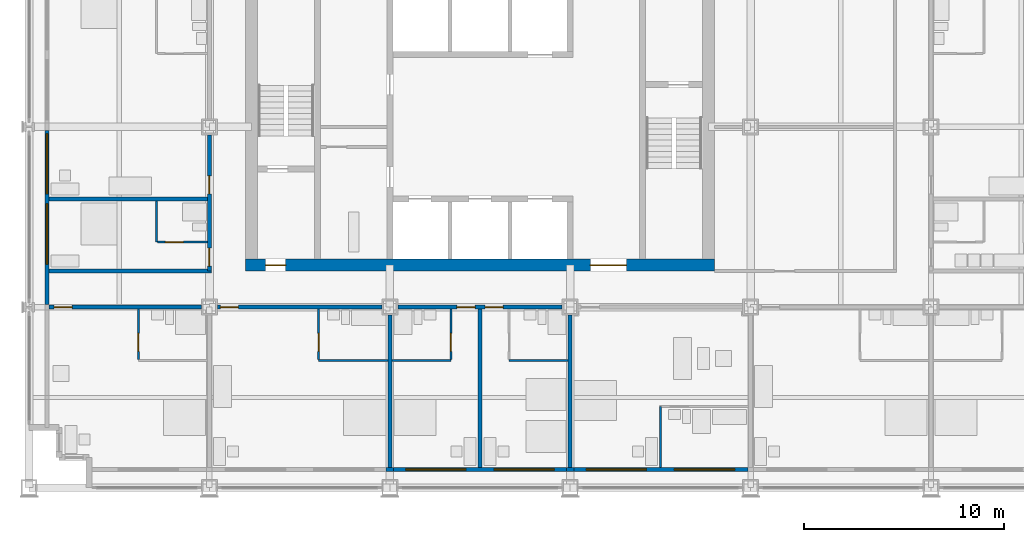
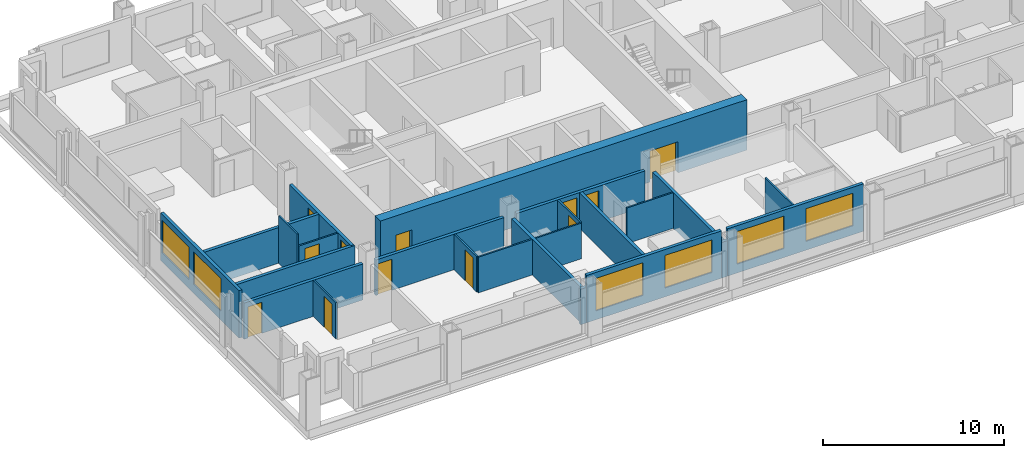
# One storey, part 10 of 18: 24 walls, 12 doors, 6 windows, 18 openings.
"""IFC4 building model written with IfcOpenShell, lengths in metres."""

from ifc_helpers import new_model, si_unit, direction, frame, frame_2d, origin, place, context, subcontext, project, spatial, rectangle, extrude, material, layer, layer_set, type_object, element, fill, save


model = new_model("IFC4")

# Units and contexts
model_context = context("Model", 3, precision=1e-05, world=origin(), true_north=direction((0.0, 1.0)))
body_context = subcontext(model_context, "Body", "Model", "MODEL_VIEW")
ifc_project = project(units=[si_unit("LENGTHUNIT", "METRE"), si_unit("AREAUNIT", "SQUARE_METRE"), si_unit("VOLUMEUNIT", "CUBIC_METRE"), si_unit("PLANEANGLEUNIT", "RADIAN"), si_unit("MASSUNIT", "GRAM", prefix="KILO")], contexts=[model_context])

# Site, building, storey
site_placement = place(None, origin())
site = spatial("IfcSite", under=ifc_project, at=site_placement, CompositionType="ELEMENT")
building_placement = place(site_placement, origin())
building = spatial("IfcBuilding", under=site, at=building_placement, Name="Loomwork Tower", CompositionType="ELEMENT")
storey_placement = place(building_placement, frame((0.0, 0.0, 68.800048828125)))
storey = spatial("IfcBuildingStorey", under=building, at=storey_placement, Name="L17", CompositionType="ELEMENT", Elevation=68.800048828125)

# Wall, openings, doors
ifc_material_1 = material(Name="Concrete 14000 psi (97 MPa)", Category="concrete")
ifc_layer_1 = layer(ifc_material_1, 0.60009765625)
ifc_layer_set_1 = layer_set([ifc_layer_1], Name="Core shear wall 600")
wall_type_1 = type_object("IfcWallType", Name="Core shear wall 600", PredefinedType="SHEAR", material=ifc_layer_set_1)
wall_1_placement = place(storey_placement, frame((10.800048828125, 11.10009765625, 0.0), z_axis=(0.0, 0.0, 1.0), x_axis=(1.0, 0.0, 0.0)))
wall_1 = element("IfcWall", 1, at=wall_1_placement, inside=storey, type_object=wall_type_1, Name="Core wall south L17", PredefinedType="SHEAR", context=body_context, shape_type="SweptSolid", body=[
    extrude(rectangle(XDim=23.39990234375, YDim=0.60009765625, at=frame_2d((11.699951171875, 0.0))), origin(), (0.0, 0.0, 1.0), 3.39990234375),
])
opening_1_placement = place(wall_1_placement, frame((1.0, 0.0, 0.0)))
opening_1 = element("IfcOpeningElement", 2, at=opening_1_placement, cuts=wall_1, Name="Opening D4", PredefinedType="OPENING", context=body_context, shape_type="SweptSolid", body=[
    extrude(rectangle(XDim=1.0, YDim=2.10009765625, at=frame_2d((0.5, 1.050048828125))), frame((0.0, 0.31005859375, 0.0), z_axis=(0.0, -1.0, 0.0), x_axis=(1.0, 0.0, 0.0)), (0.0, 0.0, 1.0), 0.6201171875),
])
opening_2_placement = place(wall_1_placement, frame((17.199951171875, 0.0, 0.0)))
opening_2 = element("IfcOpeningElement", 3, at=opening_2_placement, cuts=wall_1, Name="Opening D6", PredefinedType="OPENING", context=body_context, shape_type="SweptSolid", body=[
    extrude(rectangle(XDim=1.800048828125, YDim=2.10009765625, at=frame_2d((0.89990234375, 1.050048828125))), frame((0.0, 0.31005859375, 0.0), z_axis=(0.0, -1.0, 0.0), x_axis=(1.0, 0.0, 0.0)), (0.0, 0.0, 1.0), 0.6201171875),
])
ifc_material_2 = material(Name="Hollow metal door and frame")
door_type_1 = type_object("IfcDoorType", Name="Lobby passage double door 1800", OperationType="DOUBLE_DOOR_SINGLE_SWING", PredefinedType="DOOR", material=ifc_material_2)
door_1_placement = place(opening_2_placement, origin())
door_1 = element("IfcDoor", 4, at=door_1_placement, inside=storey, type_object=door_type_1, Name="Lobby passage door south", OperationType="DOUBLE_DOOR_SINGLE_SWING", OverallHeight=2.10009765625, OverallWidth=1.800048828125, PredefinedType="DOOR", context=body_context, shape_type="SweptSolid", body=[
    extrude(rectangle(XDim=1.800048828125, YDim=2.10009765625, at=frame_2d((0.89990234375, 1.050048828125))), frame((0.0, 0.02490234375, 0.0), z_axis=(0.0, -1.0, 0.0), x_axis=(1.0, 0.0, 0.0)), (0.0, 0.0, 1.0), 0.050048828125),
])
fill(opening_2, door_1)
ifc_material_3 = material(Name="Hollow metal door and frame")
door_type_2 = type_object("IfcDoorType", Name="Stair door 1000", OperationType="SINGLE_SWING_RIGHT", PredefinedType="DOOR", material=ifc_material_3)
door_2_placement = place(opening_1_placement, origin())
door_2 = element("IfcDoor", 5, at=door_2_placement, inside=storey, type_object=door_type_2, Name="Stair A vestibule door", OperationType="SINGLE_SWING_LEFT", OverallHeight=2.10009765625, OverallWidth=1.0, PredefinedType="DOOR", context=body_context, shape_type="SweptSolid", body=[
    extrude(rectangle(XDim=1.0, YDim=2.10009765625, at=frame_2d((0.5, 1.050048828125))), frame((0.0, 0.02490234375, 0.0), z_axis=(0.0, -1.0, 0.0), x_axis=(1.0, 0.0, 0.0)), (0.0, 0.0, 1.0), 0.050048828125),
])
fill(opening_1, door_2)

# Wall, opening, door
ifc_material_4 = material(Name="Gypsum board on steel studs, one-hour", Category="steel")
ifc_layer_2 = layer(ifc_material_4, 0.199951171875)
ifc_layer_set_2 = layer_set([ifc_layer_2], Name="Corridor wall 200")
wall_type_2 = type_object("IfcWallType", Name="Corridor wall 200", PredefinedType="PARTITIONING", material=ifc_layer_set_2)
wall_2_placement = place(storey_placement, frame((1.0, 9.0, 0.0), z_axis=(0.0, 0.0, 1.0), x_axis=(1.0, 0.0, 0.0)))
wall_2 = element("IfcWall", 6, at=wall_2_placement, inside=storey, type_object=wall_type_2, Name="South corridor wall 1", PredefinedType="PARTITIONING", context=body_context, shape_type="SweptSolid", body=[
    extrude(rectangle(XDim=7.60009765625, YDim=0.199951171875, at=frame_2d((3.800048828125, 0.0))), origin(), (0.0, 0.0, 1.0), 2.43798828125),
])
opening_3_placement = place(wall_2_placement, frame((0.25, 0.0, 0.0)))
opening_3 = element("IfcOpeningElement", 7, at=opening_3_placement, cuts=wall_2, Name="Opening D1", PredefinedType="OPENING", context=body_context, shape_type="SweptSolid", body=[
    extrude(rectangle(XDim=0.89990234375, YDim=2.10009765625, at=frame_2d((0.449951171875, 1.050048828125))), frame((0.0, 0.10986328125, 0.0), z_axis=(0.0, -1.0, 0.0), x_axis=(1.0, 0.0, 0.0)), (0.0, 0.0, 1.0), 0.219970703125),
])
ifc_material_5 = material(Name="Hollow metal door and frame")
door_type_3 = type_object("IfcDoorType", Name="Guest room entry door 900", OperationType="SINGLE_SWING_LEFT", PredefinedType="DOOR", material=ifc_material_5)
door_3_placement = place(opening_3_placement, frame((0.89990234375, 0.0, 0.0), z_axis=(0.0, 0.0, 1.0), x_axis=(-1.0, 0.0, 0.0)))
door_3 = element("IfcDoor", 8, at=door_3_placement, inside=storey, type_object=door_type_3, Name="Guest room entry door L17 1", OperationType="SINGLE_SWING_RIGHT", OverallHeight=2.10009765625, OverallWidth=0.89990234375, PredefinedType="DOOR", context=body_context, shape_type="SweptSolid", body=[
    extrude(rectangle(XDim=0.89990234375, YDim=2.10009765625, at=frame_2d((0.449951171875, 1.050048828125))), frame((0.0, 0.02490234375, 0.0), z_axis=(0.0, -1.0, 0.0), x_axis=(1.0, 0.0, 0.0)), (0.0, 0.0, 1.0), 0.050048828125),
])
fill(opening_3, door_3)

wall_3_placement = place(storey_placement, frame((9.39990234375, 9.0, 0.0), z_axis=(0.0, 0.0, 1.0), x_axis=(1.0, 0.0, 0.0)))
wall_3 = element("IfcWall", 9, at=wall_3_placement, inside=storey, type_object=wall_type_2, Name="South corridor wall 2", PredefinedType="PARTITIONING", context=body_context, shape_type="SweptSolid", body=[
    extrude(rectangle(XDim=8.2001953125, YDim=0.199951171875, at=frame_2d((4.10009765625, 0.0))), origin(), (0.0, 0.0, 1.0), 2.405029296875),
])
opening_4_placement = place(wall_3_placement, frame((0.14990234375, 0.0, 0.0)))
opening_4 = element("IfcOpeningElement", 10, at=opening_4_placement, cuts=wall_3, Name="Opening D1", PredefinedType="OPENING", context=body_context, shape_type="SweptSolid", body=[
    extrude(rectangle(XDim=0.89990234375, YDim=2.10009765625, at=frame_2d((0.449951171875, 1.050048828125))), frame((0.0, 0.10986328125, 0.0), z_axis=(0.0, -1.0, 0.0), x_axis=(1.0, 0.0, 0.0)), (0.0, 0.0, 1.0), 0.219970703125),
])
door_4_placement = place(opening_4_placement, frame((0.89990234375, 0.0, 0.0), z_axis=(0.0, 0.0, 1.0), x_axis=(-1.0, 0.0, 0.0)))
door_4 = element("IfcDoor", 11, at=door_4_placement, inside=storey, type_object=door_type_3, Name="Guest room entry door L17 2", OperationType="SINGLE_SWING_RIGHT", OverallHeight=2.10009765625, OverallWidth=0.89990234375, PredefinedType="DOOR", context=body_context, shape_type="SweptSolid", body=[
    extrude(rectangle(XDim=0.89990234375, YDim=2.10009765625, at=frame_2d((0.449951171875, 1.050048828125))), frame((0.0, 0.02490234375, 0.0), z_axis=(0.0, -1.0, 0.0), x_axis=(1.0, 0.0, 0.0)), (0.0, 0.0, 1.0), 0.050048828125),
])
fill(opening_4, door_4)

# Wall, openings, doors
wall_4_placement = place(storey_placement, frame((18.39990234375, 9.0, 0.0), z_axis=(0.0, 0.0, 1.0), x_axis=(1.0, 0.0, 0.0)))
wall_4 = element("IfcWall", 12, at=wall_4_placement, inside=storey, type_object=wall_type_2, Name="South corridor wall 3", PredefinedType="PARTITIONING", context=body_context, shape_type="SweptSolid", body=[
    extrude(rectangle(XDim=8.2001953125, YDim=0.199951171875, at=frame_2d((4.10009765625, 0.0))), origin(), (0.0, 0.0, 1.0), 2.405029296875),
])
opening_5_placement = place(wall_4_placement, frame((2.949951171875, 0.0, 0.0)))
opening_5 = element("IfcOpeningElement", 13, at=opening_5_placement, cuts=wall_4, Name="Opening D1", PredefinedType="OPENING", context=body_context, shape_type="SweptSolid", body=[
    extrude(rectangle(XDim=0.89990234375, YDim=2.10009765625, at=frame_2d((0.449951171875, 1.050048828125))), frame((0.0, 0.10986328125, 0.0), z_axis=(0.0, -1.0, 0.0), x_axis=(1.0, 0.0, 0.0)), (0.0, 0.0, 1.0), 0.219970703125),
])
opening_6_placement = place(wall_4_placement, frame((4.35009765625, 0.0, 0.0)))
opening_6 = element("IfcOpeningElement", 14, at=opening_6_placement, cuts=wall_4, Name="Opening D1", PredefinedType="OPENING", context=body_context, shape_type="SweptSolid", body=[
    extrude(rectangle(XDim=0.89990234375, YDim=2.10009765625, at=frame_2d((0.449951171875, 1.050048828125))), frame((0.0, 0.10986328125, 0.0), z_axis=(0.0, -1.0, 0.0), x_axis=(1.0, 0.0, 0.0)), (0.0, 0.0, 1.0), 0.219970703125),
])
door_5_placement = place(opening_5_placement, frame((0.89990234375, 0.0, 0.0), z_axis=(0.0, 0.0, 1.0), x_axis=(-1.0, 0.0, 0.0)))
door_5 = element("IfcDoor", 15, at=door_5_placement, inside=storey, type_object=door_type_3, Name="Guest room entry door L17 3", OperationType="SINGLE_SWING_LEFT", OverallHeight=2.10009765625, OverallWidth=0.89990234375, PredefinedType="DOOR", context=body_context, shape_type="SweptSolid", body=[
    extrude(rectangle(XDim=0.89990234375, YDim=2.10009765625, at=frame_2d((0.449951171875, 1.050048828125))), frame((0.0, 0.02490234375, 0.0), z_axis=(0.0, -1.0, 0.0), x_axis=(1.0, 0.0, 0.0)), (0.0, 0.0, 1.0), 0.050048828125),
])
fill(opening_5, door_5)
door_6_placement = place(opening_6_placement, frame((0.89990234375, 0.0, 0.0), z_axis=(0.0, 0.0, 1.0), x_axis=(-1.0, 0.0, 0.0)))
door_6 = element("IfcDoor", 16, at=door_6_placement, inside=storey, type_object=door_type_3, Name="Guest room entry door L17 4", OperationType="SINGLE_SWING_RIGHT", OverallHeight=2.10009765625, OverallWidth=0.89990234375, PredefinedType="DOOR", context=body_context, shape_type="SweptSolid", body=[
    extrude(rectangle(XDim=0.89990234375, YDim=2.10009765625, at=frame_2d((0.449951171875, 1.050048828125))), frame((0.0, 0.02490234375, 0.0), z_axis=(0.0, -1.0, 0.0), x_axis=(1.0, 0.0, 0.0)), (0.0, 0.0, 1.0), 0.050048828125),
])
fill(opening_6, door_6)

wall_5_placement = place(storey_placement, frame((9.0, 10.800048828125, 0.0), z_axis=(0.0, 0.0, 1.0), x_axis=(0.0, 1.0, 0.0)))
wall_5 = element("IfcWall", 17, at=wall_5_placement, inside=storey, type_object=wall_type_2, Name="West corridor wall 1", PredefinedType="PARTITIONING", context=body_context, shape_type="SweptSolid", body=[
    extrude(rectangle(XDim=6.800048828125, YDim=0.199951171875, at=frame_2d((3.39990234375, 0.0))), origin(), (0.0, 0.0, 1.0), 2.405029296875),
])
opening_7_placement = place(wall_5_placement, frame((0.25, 0.0, 0.0)))
opening_7 = element("IfcOpeningElement", 18, at=opening_7_placement, cuts=wall_5, Name="Opening D1", PredefinedType="OPENING", context=body_context, shape_type="SweptSolid", body=[
    extrude(rectangle(XDim=0.89990234375, YDim=2.10009765625, at=frame_2d((0.449951171875, 1.050048828125))), frame((0.0, 0.10986328125, 0.0), z_axis=(0.0, -1.0, 0.0), x_axis=(1.0, 0.0, 0.0)), (0.0, 0.0, 1.0), 0.219970703125),
])
opening_8_placement = place(wall_5_placement, frame((3.85009765625, 0.0, 0.0)))
opening_8 = element("IfcOpeningElement", 19, at=opening_8_placement, cuts=wall_5, Name="Opening D1", PredefinedType="OPENING", context=body_context, shape_type="SweptSolid", body=[
    extrude(rectangle(XDim=0.89990234375, YDim=2.10009765625, at=frame_2d((0.449951171875, 1.050048828125))), frame((0.0, 0.10986328125, 0.0), z_axis=(0.0, -1.0, 0.0), x_axis=(1.0, 0.0, 0.0)), (0.0, 0.0, 1.0), 0.219970703125),
])
door_7_placement = place(opening_7_placement, origin())
door_7 = element("IfcDoor", 20, at=door_7_placement, inside=storey, type_object=door_type_3, Name="Guest room entry door L17 16", OperationType="SINGLE_SWING_LEFT", OverallHeight=2.10009765625, OverallWidth=0.89990234375, PredefinedType="DOOR", context=body_context, shape_type="SweptSolid", body=[
    extrude(rectangle(XDim=0.89990234375, YDim=2.10009765625, at=frame_2d((0.449951171875, 1.050048828125))), frame((0.0, 0.02490234375, 0.0), z_axis=(0.0, -1.0, 0.0), x_axis=(1.0, 0.0, 0.0)), (0.0, 0.0, 1.0), 0.050048828125),
])
fill(opening_7, door_7)
door_8_placement = place(opening_8_placement, origin())
door_8 = element("IfcDoor", 21, at=door_8_placement, inside=storey, type_object=door_type_3, Name="Guest room entry door L17 17", OperationType="SINGLE_SWING_LEFT", OverallHeight=2.10009765625, OverallWidth=0.89990234375, PredefinedType="DOOR", context=body_context, shape_type="SweptSolid", body=[
    extrude(rectangle(XDim=0.89990234375, YDim=2.10009765625, at=frame_2d((0.449951171875, 1.050048828125))), frame((0.0, 0.02490234375, 0.0), z_axis=(0.0, -1.0, 0.0), x_axis=(1.0, 0.0, 0.0)), (0.0, 0.0, 1.0), 0.050048828125),
])
fill(opening_8, door_8)

# Wall
wall_6_placement = place(storey_placement, frame((1.0, 10.800048828125, 0.0), z_axis=(0.0, 0.0, 1.0), x_axis=(1.0, 0.0, 0.0)))
element("IfcWall", 22, at=wall_6_placement, inside=storey, type_object=wall_type_2, Name="West band end wall S", PredefinedType="PARTITIONING", context=body_context, shape_type="SweptSolid", body=[
    extrude(rectangle(XDim=8.10009765625, YDim=0.199951171875, at=frame_2d((4.050048828125, 0.0))), origin(), (0.0, 0.0, 1.0), 2.404052734375),
])

# Wall, opening, door
ifc_material_6 = material(Name="Cement board on steel studs", Category="steel")
ifc_layer_3 = layer(ifc_material_6, 0.10009765625)
ifc_layer_set_3 = layer_set([ifc_layer_3], Name="En-suite partition 100")
wall_type_3 = type_object("IfcWallType", Name="En-suite partition 100", PredefinedType="PARTITIONING", material=ifc_layer_set_3)
wall_7_placement = place(storey_placement, frame((5.449951171875, 8.89990234375, 0.0), z_axis=(0.0, 0.0, 1.0), x_axis=(0.0, -1.0, 0.0)))
wall_7 = element("IfcWall", 23, at=wall_7_placement, inside=storey, type_object=wall_type_3, Name="En-suite side wall L17 room 1", PredefinedType="PARTITIONING", context=body_context, shape_type="SweptSolid", body=[
    extrude(rectangle(XDim=2.5, YDim=0.10009765625, at=frame_2d((1.25, 0.0))), origin(), (0.0, 0.0, 1.0), 2.43798828125),
])
opening_9_placement = place(wall_7_placement, frame((1.199951171875, 0.0, 0.0)))
opening_9 = element("IfcOpeningElement", 24, at=opening_9_placement, cuts=wall_7, Name="Opening D3", PredefinedType="OPENING", context=body_context, shape_type="SweptSolid", body=[
    extrude(rectangle(XDim=0.89990234375, YDim=2.10009765625, at=frame_2d((0.449951171875, 1.050048828125))), frame((0.0, 0.06005859375, 0.0), z_axis=(0.0, -1.0, 0.0), x_axis=(1.0, 0.0, 0.0)), (0.0, 0.0, 1.0), 0.1201171875),
])
ifc_material_7 = material(Name="Hollow metal door and frame")
door_type_4 = type_object("IfcDoorType", Name="Accessible en-suite door 900", OperationType="SLIDING_TO_LEFT", PredefinedType="DOOR", material=ifc_material_7)
door_9_placement = place(opening_9_placement, origin())
door_9 = element("IfcDoor", 25, at=door_9_placement, inside=storey, type_object=door_type_4, Name="Accessible en-suite door room 1", OperationType="SLIDING_TO_LEFT", OverallHeight=2.10009765625, OverallWidth=0.89990234375, PredefinedType="DOOR", context=body_context, shape_type="SweptSolid", body=[
    extrude(rectangle(XDim=0.89990234375, YDim=2.10009765625, at=frame_2d((0.449951171875, 1.050048828125))), frame((0.0, 0.02490234375, 0.0), z_axis=(0.0, -1.0, 0.0), x_axis=(1.0, 0.0, 0.0)), (0.0, 0.0, 1.0), 0.050048828125),
])
fill(opening_9, door_9)

# Wall
wall_8_placement = place(storey_placement, frame((14.449951171875, 6.35009765625, 0.0), z_axis=(0.0, 0.0, 1.0), x_axis=(1.0, 0.0, 0.0)))
element("IfcWall", 26, at=wall_8_placement, inside=storey, type_object=wall_type_3, Name="En-suite wall L17 room 2", PredefinedType="PARTITIONING", context=body_context, shape_type="SweptSolid", body=[
    extrude(rectangle(XDim=3.449951171875, YDim=0.10009765625, at=frame_2d((1.72509765625, 0.0))), origin(), (0.0, 0.0, 1.0), 2.404052734375),
])

# Wall, opening, door
wall_9_placement = place(storey_placement, frame((14.449951171875, 8.89990234375, 0.0), z_axis=(0.0, 0.0, 1.0), x_axis=(0.0, -1.0, 0.0)))
wall_9 = element("IfcWall", 27, at=wall_9_placement, inside=storey, type_object=wall_type_3, Name="En-suite side wall L17 room 2", PredefinedType="PARTITIONING", context=body_context, shape_type="SweptSolid", body=[
    extrude(rectangle(XDim=2.5, YDim=0.10009765625, at=frame_2d((1.25, 0.0))), origin(), (0.0, 0.0, 1.0), 2.404052734375),
])
opening_10_placement = place(wall_9_placement, frame((1.199951171875, 0.0, 0.0)))
opening_10 = element("IfcOpeningElement", 28, at=opening_10_placement, cuts=wall_9, Name="Opening D2", PredefinedType="OPENING", context=body_context, shape_type="SweptSolid", body=[
    extrude(rectangle(XDim=0.89990234375, YDim=2.10009765625, at=frame_2d((0.449951171875, 1.050048828125))), frame((0.0, 0.06005859375, 0.0), z_axis=(0.0, -1.0, 0.0), x_axis=(1.0, 0.0, 0.0)), (0.0, 0.0, 1.0), 0.1201171875),
])
ifc_material_8 = material(Name="Hollow metal door and frame")
door_type_5 = type_object("IfcDoorType", Name="En-suite door 900", OperationType="SINGLE_SWING_LEFT", PredefinedType="DOOR", material=ifc_material_8)
door_10_placement = place(opening_10_placement, origin())
door_10 = element("IfcDoor", 29, at=door_10_placement, inside=storey, type_object=door_type_5, Name="En-suite door room 2", OperationType="SINGLE_SWING_RIGHT", OverallHeight=2.10009765625, OverallWidth=0.89990234375, PredefinedType="DOOR", context=body_context, shape_type="SweptSolid", body=[
    extrude(rectangle(XDim=0.89990234375, YDim=2.10009765625, at=frame_2d((0.449951171875, 1.050048828125))), frame((0.0, 0.02490234375, 0.0), z_axis=(0.0, -1.0, 0.0), x_axis=(1.0, 0.0, 0.0)), (0.0, 0.0, 1.0), 0.050048828125),
])
fill(opening_10, door_10)

# Wall
wall_10_placement = place(storey_placement, frame((18.10009765625, 6.35009765625, 0.0), z_axis=(0.0, 0.0, 1.0), x_axis=(1.0, 0.0, 0.0)))
element("IfcWall", 30, at=wall_10_placement, inside=storey, type_object=wall_type_3, Name="En-suite wall L17 room 3", PredefinedType="PARTITIONING", context=body_context, shape_type="SweptSolid", body=[
    extrude(rectangle(XDim=2.949951171875, YDim=0.10009765625, at=frame_2d((1.47509765625, 0.0))), origin(), (0.0, 0.0, 1.0), 2.404052734375),
])

# Wall, opening, door
wall_11_placement = place(storey_placement, frame((21.050048828125, 8.89990234375, 0.0), z_axis=(0.0, 0.0, 1.0), x_axis=(0.0, -1.0, 0.0)))
wall_11 = element("IfcWall", 31, at=wall_11_placement, inside=storey, type_object=wall_type_3, Name="En-suite side wall L17 room 3", PredefinedType="PARTITIONING", context=body_context, shape_type="SweptSolid", body=[
    extrude(rectangle(XDim=2.5, YDim=0.10009765625, at=frame_2d((1.25, 0.0))), origin(), (0.0, 0.0, 1.0), 2.404052734375),
])
opening_11_placement = place(wall_11_placement, frame((1.199951171875, 0.0, 0.0)))
opening_11 = element("IfcOpeningElement", 32, at=opening_11_placement, cuts=wall_11, Name="Opening D2", PredefinedType="OPENING", context=body_context, shape_type="SweptSolid", body=[
    extrude(rectangle(XDim=0.89990234375, YDim=2.10009765625, at=frame_2d((0.449951171875, 1.050048828125))), frame((0.0, 0.06005859375, 0.0), z_axis=(0.0, -1.0, 0.0), x_axis=(1.0, 0.0, 0.0)), (0.0, 0.0, 1.0), 0.1201171875),
])
door_11_placement = place(opening_11_placement, frame((0.89990234375, 0.0, 0.0), z_axis=(0.0, 0.0, 1.0), x_axis=(-1.0, 0.0, 0.0)))
door_11 = element("IfcDoor", 33, at=door_11_placement, inside=storey, type_object=door_type_5, Name="En-suite door room 3", OperationType="SINGLE_SWING_LEFT", OverallHeight=2.10009765625, OverallWidth=0.89990234375, PredefinedType="DOOR", context=body_context, shape_type="SweptSolid", body=[
    extrude(rectangle(XDim=0.89990234375, YDim=2.10009765625, at=frame_2d((0.449951171875, 1.050048828125))), frame((0.0, 0.02490234375, 0.0), z_axis=(0.0, -1.0, 0.0), x_axis=(1.0, 0.0, 0.0)), (0.0, 0.0, 1.0), 0.050048828125),
])
fill(opening_11, door_11)

# Walls
wall_12_placement = place(storey_placement, frame((23.949951171875, 6.35009765625, 0.0), z_axis=(0.0, 0.0, 1.0), x_axis=(1.0, 0.0, 0.0)))
element("IfcWall", 34, at=wall_12_placement, inside=storey, type_object=wall_type_3, Name="En-suite wall L17 room 4", PredefinedType="PARTITIONING", context=body_context, shape_type="SweptSolid", body=[
    extrude(rectangle(XDim=2.949951171875, YDim=0.10009765625, at=frame_2d((1.47509765625, 0.0))), origin(), (0.0, 0.0, 1.0), 2.404052734375),
])
wall_13_placement = place(storey_placement, frame((31.5, 4.050048828125, 0.0), z_axis=(0.0, 0.0, 1.0), x_axis=(0.0, -1.0, 0.0)))
element("IfcWall", 35, at=wall_13_placement, inside=storey, type_object=wall_type_3, Name="Spa bathroom side wall L17 room 5", PredefinedType="PARTITIONING", context=body_context, shape_type="SweptSolid", body=[
    extrude(rectangle(XDim=3.050048828125, YDim=0.10009765625, at=frame_2d((1.52490234375, 0.0))), origin(), (0.0, 0.0, 1.0), 3.199951171875),
])
wall_14_placement = place(storey_placement, frame((6.35009765625, 12.25, 0.0), z_axis=(0.0, 0.0, 1.0), x_axis=(0.0, 1.0, 0.0)))
element("IfcWall", 36, at=wall_14_placement, inside=storey, type_object=wall_type_3, Name="En-suite wall L17 room 16", PredefinedType="PARTITIONING", context=body_context, shape_type="SweptSolid", body=[
    extrude(rectangle(XDim=2.050048828125, YDim=0.10009765625, at=frame_2d((1.02490234375, 0.0))), origin(), (0.0, 0.0, 1.0), 3.199951171875),
])

# Wall, opening, door
wall_15_placement = place(storey_placement, frame((8.89990234375, 12.25, 0.0), z_axis=(0.0, 0.0, 1.0), x_axis=(-1.0, 0.0, 0.0)))
wall_15 = element("IfcWall", 37, at=wall_15_placement, inside=storey, type_object=wall_type_3, Name="En-suite side wall L17 room 16", PredefinedType="PARTITIONING", context=body_context, shape_type="SweptSolid", body=[
    extrude(rectangle(XDim=2.5, YDim=0.10009765625, at=frame_2d((1.25, 0.0))), origin(), (0.0, 0.0, 1.0), 2.404052734375),
])
opening_12_placement = place(wall_15_placement, frame((1.199951171875, 0.0, 0.0)))
opening_12 = element("IfcOpeningElement", 38, at=opening_12_placement, cuts=wall_15, Name="Opening D2", PredefinedType="OPENING", context=body_context, shape_type="SweptSolid", body=[
    extrude(rectangle(XDim=0.89990234375, YDim=2.10009765625, at=frame_2d((0.449951171875, 1.050048828125))), frame((0.0, 0.06005859375, 0.0), z_axis=(0.0, -1.0, 0.0), x_axis=(1.0, 0.0, 0.0)), (0.0, 0.0, 1.0), 0.1201171875),
])
door_12_placement = place(opening_12_placement, frame((0.89990234375, 0.0, 0.0), z_axis=(0.0, 0.0, 1.0), x_axis=(-1.0, 0.0, 0.0)))
door_12 = element("IfcDoor", 39, at=door_12_placement, inside=storey, type_object=door_type_5, Name="En-suite door room 16", OperationType="SINGLE_SWING_LEFT", OverallHeight=2.10009765625, OverallWidth=0.89990234375, PredefinedType="DOOR", context=body_context, shape_type="SweptSolid", body=[
    extrude(rectangle(XDim=0.89990234375, YDim=2.10009765625, at=frame_2d((0.449951171875, 1.050048828125))), frame((0.0, 0.02490234375, 0.0), z_axis=(0.0, -1.0, 0.0), x_axis=(1.0, 0.0, 0.0)), (0.0, 0.0, 1.0), 0.050048828125),
])
fill(opening_12, door_12)

# Walls
ifc_material_9 = material(Name="Gypsum board on steel studs, acoustic", Category="steel")
ifc_layer_4 = layer(ifc_material_9, 0.199951171875)
ifc_layer_set_4 = layer_set([ifc_layer_4], Name="Guest room party wall 200")
wall_type_4 = type_object("IfcWallType", Name="Guest room party wall 200", PredefinedType="PARTITIONING", material=ifc_layer_set_4)
wall_16_placement = place(storey_placement, frame((18.0, 8.60009765625, 0.0), z_axis=(0.0, 0.0, 1.0), x_axis=(0.0, -1.0, 0.0)))
element("IfcWall", 40, at=wall_16_placement, inside=storey, type_object=wall_type_4, Name="Guest room party wall S 18", PredefinedType="PARTITIONING", context=body_context, shape_type="SweptSolid", body=[
    extrude(rectangle(XDim=7.60009765625, YDim=0.199951171875, at=frame_2d((3.800048828125, 0.0))), origin(), (0.0, 0.0, 1.0), 2.405029296875),
])
wall_17_placement = place(storey_placement, frame((22.5, 8.89990234375, 0.0), z_axis=(0.0, 0.0, 1.0), x_axis=(0.0, -1.0, 0.0)))
element("IfcWall", 41, at=wall_17_placement, inside=storey, type_object=wall_type_4, Name="Guest room party wall S 22.5", PredefinedType="PARTITIONING", context=body_context, shape_type="SweptSolid", body=[
    extrude(rectangle(XDim=7.89990234375, YDim=0.199951171875, at=frame_2d((3.949951171875, 0.0))), origin(), (0.0, 0.0, 1.0), 2.404052734375),
])
wall_18_placement = place(storey_placement, frame((27.0, 8.60009765625, 0.0), z_axis=(0.0, 0.0, 1.0), x_axis=(0.0, -1.0, 0.0)))
element("IfcWall", 42, at=wall_18_placement, inside=storey, type_object=wall_type_4, Name="Guest room party wall S 27", PredefinedType="PARTITIONING", context=body_context, shape_type="SweptSolid", body=[
    extrude(rectangle(XDim=7.60009765625, YDim=0.199951171875, at=frame_2d((3.800048828125, 0.0))), origin(), (0.0, 0.0, 1.0), 2.405029296875),
])
wall_19_placement = place(storey_placement, frame((8.89990234375, 14.39990234375, 0.0), z_axis=(0.0, 0.0, 1.0), x_axis=(-1.0, 0.0, 0.0)))
element("IfcWall", 43, at=wall_19_placement, inside=storey, type_object=wall_type_4, Name="Guest room party wall W 14.4", PredefinedType="PARTITIONING", context=body_context, shape_type="SweptSolid", body=[
    extrude(rectangle(XDim=7.89990234375, YDim=0.199951171875, at=frame_2d((3.949951171875, 0.0))), origin(), (0.0, 0.0, 1.0), 2.404052734375),
])
ifc_material_10 = material(Name="Insulated steel stud wall with gypsum lining", Category="steel")
ifc_layer_5 = layer(ifc_material_10, 0.199951171875)
ifc_layer_set_5 = layer_set([ifc_layer_5], Name="Inner skin wall 200")
wall_type_5 = type_object("IfcWallType", Name="Inner skin wall 200", PredefinedType="SOLIDWALL", material=ifc_layer_set_5)
wall_20_placement = place(storey_placement, frame((17.80615234375, 0.89990234375, 0.0), z_axis=(0.0, 0.0, 1.0), x_axis=(1.0, 0.0, 0.0)))
element("IfcWall", 44, at=wall_20_placement, inside=storey, type_object=wall_type_5, Name="Inner skin wall S bay 4", PredefinedType="SOLIDWALL", context=body_context, shape_type="SweptSolid", body=[
    extrude(rectangle(XDim=0.3876953125, YDim=0.199951171875, at=frame_2d((0.19384765625, 0.0))), origin(), (0.0, 0.0, 1.0), 2.404052734375),
])

# Wall, openings, windows
wall_21_placement = place(storey_placement, frame((18.19384765625, 0.89990234375, 0.0), z_axis=(0.0, 0.0, 1.0), x_axis=(1.0, 0.0, 0.0)))
wall_21 = element("IfcWall", 45, at=wall_21_placement, inside=storey, type_object=wall_type_5, Name="Inner skin wall S bay 5", PredefinedType="SOLIDWALL", context=body_context, shape_type="SweptSolid", body=[
    extrude(rectangle(XDim=8.6123046875, YDim=0.199951171875, at=frame_2d((4.30615234375, 0.0))), origin(), (0.0, 0.0, 1.0), 3.199951171875),
])
opening_13_placement = place(wall_21_placement, frame((0.606201171875, 0.0, 0.60009765625)))
opening_13 = element("IfcOpeningElement", 46, at=opening_13_placement, cuts=wall_21, Name="Opening CH1", PredefinedType="OPENING", context=body_context, shape_type="SweptSolid", body=[
    extrude(rectangle(XDim=3.0, YDim=2.199951171875, at=frame_2d((1.5, 1.10009765625))), frame((0.0, 0.10986328125, 0.0), z_axis=(0.0, -1.0, 0.0), x_axis=(1.0, 0.0, 0.0)), (0.0, 0.0, 1.0), 0.219970703125),
])
opening_14_placement = place(wall_21_placement, frame((5.006103515625, 0.0, 0.60009765625)))
opening_14 = element("IfcOpeningElement", 47, at=opening_14_placement, cuts=wall_21, Name="Opening CH1", PredefinedType="OPENING", context=body_context, shape_type="SweptSolid", body=[
    extrude(rectangle(XDim=3.0, YDim=2.199951171875, at=frame_2d((1.5, 1.10009765625))), frame((0.0, 0.10986328125, 0.0), z_axis=(0.0, -1.0, 0.0), x_axis=(1.0, 0.0, 0.0)), (0.0, 0.0, 1.0), 0.219970703125),
])
ifc_material_11 = material(Name="Aluminium frame with clear insulated glass", Category="aluminium")
window_type = type_object("IfcWindowType", Name="Chicago window 3000", PartitioningType="TRIPLE_PANEL_VERTICAL", PredefinedType="WINDOW", material=ifc_material_11)
window_1_placement = place(opening_13_placement, origin())
window_1 = element("IfcWindow", 48, at=window_1_placement, inside=storey, type_object=window_type, Name="Chicago window L17 bay 3", OverallHeight=2.199951171875, OverallWidth=3.0, PartitioningType="TRIPLE_PANEL_VERTICAL", PredefinedType="WINDOW", context=body_context, shape_type="SweptSolid", body=[
    extrude(rectangle(XDim=3.0, YDim=2.199951171875, at=frame_2d((1.5, 1.10009765625))), frame((0.0, 0.030029296875, 0.0), z_axis=(0.0, -1.0, 0.0), x_axis=(1.0, 0.0, 0.0)), (0.0, 0.0, 1.0), 0.06005859375),
])
fill(opening_13, window_1)
window_2_placement = place(opening_14_placement, origin())
window_2 = element("IfcWindow", 49, at=window_2_placement, inside=storey, type_object=window_type, Name="Chicago window L17 bay 3", OverallHeight=2.199951171875, OverallWidth=3.0, PartitioningType="TRIPLE_PANEL_VERTICAL", PredefinedType="WINDOW", context=body_context, shape_type="SweptSolid", body=[
    extrude(rectangle(XDim=3.0, YDim=2.199951171875, at=frame_2d((1.5, 1.10009765625))), frame((0.0, 0.030029296875, 0.0), z_axis=(0.0, -1.0, 0.0), x_axis=(1.0, 0.0, 0.0)), (0.0, 0.0, 1.0), 0.06005859375),
])
fill(opening_14, window_2)

# Wall
wall_22_placement = place(storey_placement, frame((26.80615234375, 0.89990234375, 0.0), z_axis=(0.0, 0.0, 1.0), x_axis=(1.0, 0.0, 0.0)))
element("IfcWall", 50, at=wall_22_placement, inside=storey, type_object=wall_type_5, Name="Inner skin wall S bay 6", PredefinedType="SOLIDWALL", context=body_context, shape_type="SweptSolid", body=[
    extrude(rectangle(XDim=0.3876953125, YDim=0.199951171875, at=frame_2d((0.19384765625, 0.0))), origin(), (0.0, 0.0, 1.0), 2.404052734375),
])

# Wall, openings, windows
wall_23_placement = place(storey_placement, frame((27.19384765625, 0.89990234375, 0.0), z_axis=(0.0, 0.0, 1.0), x_axis=(1.0, 0.0, 0.0)))
wall_23 = element("IfcWall", 51, at=wall_23_placement, inside=storey, type_object=wall_type_5, Name="Inner skin wall S bay 7", PredefinedType="SOLIDWALL", context=body_context, shape_type="SweptSolid", body=[
    extrude(rectangle(XDim=8.670654296875, YDim=0.199951171875, at=frame_2d((4.33544921875, 0.0))), origin(), (0.0, 0.0, 1.0), 3.199951171875),
])
opening_15_placement = place(wall_23_placement, frame((0.606201171875, 0.0, 0.60009765625)))
opening_15 = element("IfcOpeningElement", 52, at=opening_15_placement, cuts=wall_23, Name="Opening CH1", PredefinedType="OPENING", context=body_context, shape_type="SweptSolid", body=[
    extrude(rectangle(XDim=3.0, YDim=2.199951171875, at=frame_2d((1.5, 1.10009765625))), frame((0.0, 0.10986328125, 0.0), z_axis=(0.0, -1.0, 0.0), x_axis=(1.0, 0.0, 0.0)), (0.0, 0.0, 1.0), 0.219970703125),
])
opening_16_placement = place(wall_23_placement, frame((5.006103515625, 0.0, 0.60009765625)))
opening_16 = element("IfcOpeningElement", 53, at=opening_16_placement, cuts=wall_23, Name="Opening CH1", PredefinedType="OPENING", context=body_context, shape_type="SweptSolid", body=[
    extrude(rectangle(XDim=3.0, YDim=2.199951171875, at=frame_2d((1.5, 1.10009765625))), frame((0.0, 0.10986328125, 0.0), z_axis=(0.0, -1.0, 0.0), x_axis=(1.0, 0.0, 0.0)), (0.0, 0.0, 1.0), 0.219970703125),
])
window_3_placement = place(opening_15_placement, origin())
window_3 = element("IfcWindow", 54, at=window_3_placement, inside=storey, type_object=window_type, Name="Chicago window L17 bay 4", OverallHeight=2.199951171875, OverallWidth=3.0, PartitioningType="TRIPLE_PANEL_VERTICAL", PredefinedType="WINDOW", context=body_context, shape_type="SweptSolid", body=[
    extrude(rectangle(XDim=3.0, YDim=2.199951171875, at=frame_2d((1.5, 1.10009765625))), frame((0.0, 0.030029296875, 0.0), z_axis=(0.0, -1.0, 0.0), x_axis=(1.0, 0.0, 0.0)), (0.0, 0.0, 1.0), 0.06005859375),
])
fill(opening_15, window_3)
window_4_placement = place(opening_16_placement, origin())
window_4 = element("IfcWindow", 55, at=window_4_placement, inside=storey, type_object=window_type, Name="Chicago window L17 bay 4", OverallHeight=2.199951171875, OverallWidth=3.0, PartitioningType="TRIPLE_PANEL_VERTICAL", PredefinedType="WINDOW", context=body_context, shape_type="SweptSolid", body=[
    extrude(rectangle(XDim=3.0, YDim=2.199951171875, at=frame_2d((1.5, 1.10009765625))), frame((0.0, 0.030029296875, 0.0), z_axis=(0.0, -1.0, 0.0), x_axis=(1.0, 0.0, 0.0)), (0.0, 0.0, 1.0), 0.06005859375),
])
fill(opening_16, window_4)

wall_24_placement = place(storey_placement, frame((0.89990234375, 9.13525390625, 0.0), z_axis=(0.0, 0.0, 1.0), x_axis=(0.0, 1.0, 0.0)))
wall_24 = element("IfcWall", 56, at=wall_24_placement, inside=storey, type_object=wall_type_5, Name="Inner skin wall W bay 5", PredefinedType="SOLIDWALL", context=body_context, shape_type="SweptSolid", body=[
    extrude(rectangle(XDim=8.6708984375, YDim=0.199951171875, at=frame_2d((4.33544921875, 0.0))), origin(), (0.0, 0.0, 1.0), 3.199951171875),
])
opening_17_placement = place(wall_24_placement, frame((2.0146484375, 0.0, 0.60009765625)))
opening_17 = element("IfcOpeningElement", 57, at=opening_17_placement, cuts=wall_24, Name="Opening CH1", PredefinedType="OPENING", context=body_context, shape_type="SweptSolid", body=[
    extrude(rectangle(XDim=3.0, YDim=2.199951171875, at=frame_2d((1.5, 1.10009765625))), frame((0.0, 0.10986328125, 0.0), z_axis=(0.0, -1.0, 0.0), x_axis=(1.0, 0.0, 0.0)), (0.0, 0.0, 1.0), 0.219970703125),
])
opening_18_placement = place(wall_24_placement, frame((5.5146484375, 0.0, 0.60009765625)))
opening_18 = element("IfcOpeningElement", 58, at=opening_18_placement, cuts=wall_24, Name="Opening CH1", PredefinedType="OPENING", context=body_context, shape_type="SweptSolid", body=[
    extrude(rectangle(XDim=3.0, YDim=2.199951171875, at=frame_2d((1.5, 1.10009765625))), frame((0.0, 0.10986328125, 0.0), z_axis=(0.0, -1.0, 0.0), x_axis=(1.0, 0.0, 0.0)), (0.0, 0.0, 1.0), 0.219970703125),
])
window_5_placement = place(opening_17_placement, origin())
window_5 = element("IfcWindow", 59, at=window_5_placement, inside=storey, type_object=window_type, Name="Chicago window L17 bay 13", OverallHeight=2.199951171875, OverallWidth=3.0, PartitioningType="TRIPLE_PANEL_VERTICAL", PredefinedType="WINDOW", context=body_context, shape_type="SweptSolid", body=[
    extrude(rectangle(XDim=3.0, YDim=2.199951171875, at=frame_2d((1.5, 1.10009765625))), frame((0.0, 0.030029296875, 0.0), z_axis=(0.0, -1.0, 0.0), x_axis=(1.0, 0.0, 0.0)), (0.0, 0.0, 1.0), 0.06005859375),
])
fill(opening_17, window_5)
window_6_placement = place(opening_18_placement, origin())
window_6 = element("IfcWindow", 60, at=window_6_placement, inside=storey, type_object=window_type, Name="Chicago window L17 bay 13", OverallHeight=2.199951171875, OverallWidth=3.0, PartitioningType="TRIPLE_PANEL_VERTICAL", PredefinedType="WINDOW", context=body_context, shape_type="SweptSolid", body=[
    extrude(rectangle(XDim=3.0, YDim=2.199951171875, at=frame_2d((1.5, 1.10009765625))), frame((0.0, 0.030029296875, 0.0), z_axis=(0.0, -1.0, 0.0), x_axis=(1.0, 0.0, 0.0)), (0.0, 0.0, 1.0), 0.06005859375),
])
fill(opening_18, window_6)

save(model, "model.ifc")
